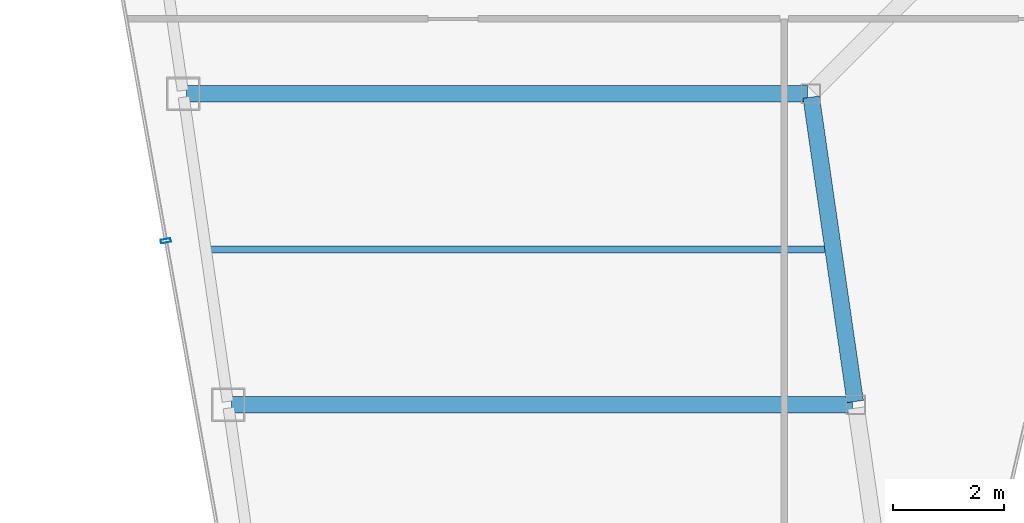
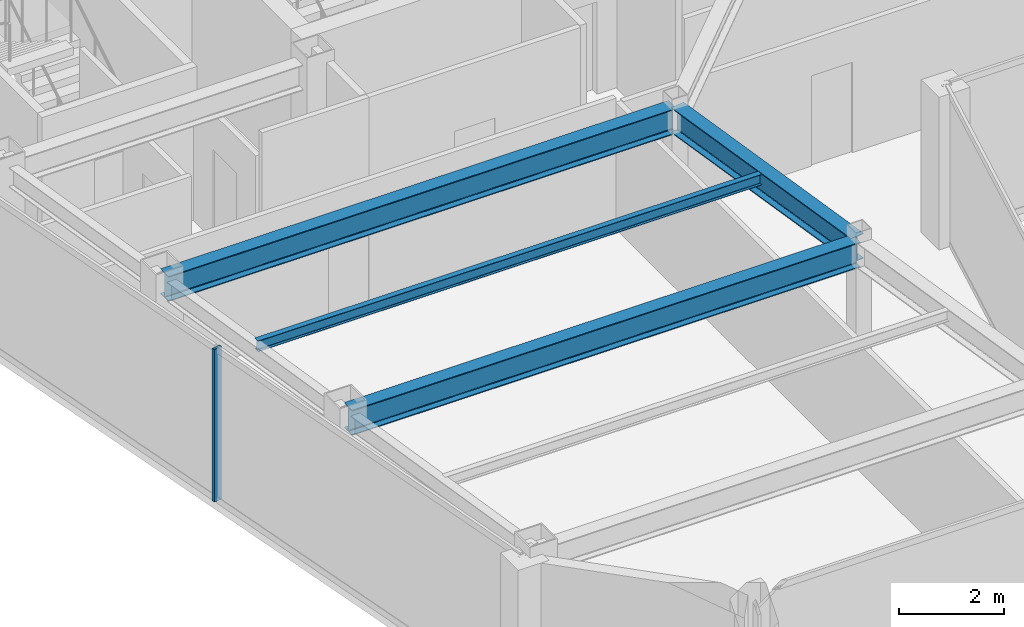
# One storey, part 5 of 32: 4 beams, 1 member, 1 element without a shape of its own.
"""IFC4 building model written with IfcOpenShell, lengths in metres."""

from ifc_helpers import new_model, si_unit, direction, frame, origin, origin_2d, place, context, subcontext, project, spatial, hollow_rectangle, i_section, extrude, material, material_profile, profile_set, type_object, element, aggregate, save


model = new_model("IFC4")

# Units and contexts
model_context = context("Model", 3, precision=1e-05, world=origin(), true_north=direction((0.0, 1.0)))
body_context = subcontext(model_context, "Body", "Model", "MODEL_VIEW")
ifc_project = project(units=[si_unit("LENGTHUNIT", "METRE"), si_unit("AREAUNIT", "SQUARE_METRE"), si_unit("VOLUMEUNIT", "CUBIC_METRE"), si_unit("PLANEANGLEUNIT", "RADIAN"), si_unit("MASSUNIT", "GRAM", prefix="KILO")], contexts=[model_context])

# Site, building, storey
site_placement = place(None, origin())
site = spatial("IfcSite", under=ifc_project, at=site_placement, CompositionType="ELEMENT")
building_placement = place(site_placement, origin())
building = spatial("IfcBuilding", under=site, at=building_placement, Name="Saevonmaru Cultural Tower", CompositionType="ELEMENT")
storey_placement = place(building_placement, frame((0.0, 0.0, 264.800048828125)))
storey = spatial("IfcBuildingStorey", under=building, at=storey_placement, Name="L62", CompositionType="ELEMENT", Elevation=264.800048828125)

# Beams
ifc_material_1 = material(Name="Steel SM355", Category="steel")
ifc_material_profile_1 = material_profile(ifc_material_1, i_section(OverallWidth=0.300048828125, OverallDepth=0.587890625, WebThickness=0.011962890625, FlangeThickness=0.02001953125, FilletRadius=0.02392578125, at=origin_2d()), Name="H-588x300x12x20")
ifc_profile_set_1 = profile_set([ifc_material_profile_1], Name="Steel SM355")
beam_type_1 = type_object("IfcBeamType", Name="BM-G-H588", PredefinedType="BEAM", material=ifc_profile_set_1)
beam_1_placement = place(storey_placement, frame((19.6083984375, 32.059326171875, 3.255859375), z_axis=(-0.142964121327, 0.989727871697, 0.0), x_axis=(-0.989727871697, -0.142964121327, 0.0)))
element("IfcBeam", 1, at=beam_1_placement, inside=storey, type_object=beam_type_1, Name="L62 West Atrium Girder 2", PredefinedType="BEAM", context=body_context, shape_type="SweptSolid", body=[
    extrude(i_section(OverallWidth=0.300048828125, OverallDepth=0.587890625, WebThickness=0.011962890625, FlangeThickness=0.02001953125, FilletRadius=0.02392578125, at=origin_2d()), origin(), (0.0, 0.0, 1.0), 5.5380859375),
])
for number, where, z_axis, x_axis, name in (
    (2, (8.376953125, 32.0, 3.255859375), (1.0, 0.0, 0.0), (0.0, 1.0, 0.0), "L62 West Wing Transverse Girder 2"),
    (3, (7.568115234375, 37.60009765625, 3.255859375), (1.0, 0.0, 0.0), (0.0, 1.0, 0.0), "L62 West Wing Transverse Girder 3"),
):
    element("IfcBeam", number, at=place(storey_placement, frame(where, z_axis=z_axis, x_axis=x_axis)), inside=storey, type_object=beam_type_1, Name=name, PredefinedType="BEAM", context=body_context, shape_type="SweptSolid", body=[
        extrude(i_section(OverallWidth=0.300048828125, OverallDepth=0.587890625, WebThickness=0.011962890625, FlangeThickness=0.02001953125, FilletRadius=0.02392578125, at=origin_2d()), origin(), (0.0, 0.0, 1.0), 11.179931640625),
    ])
ifc_material_profile_2 = material_profile(ifc_material_1, i_section(OverallWidth=0.125, OverallDepth=0.25, WebThickness=0.006103515625, FlangeThickness=0.009033203125, FilletRadius=0.008056640625, at=origin_2d()), Name="H-250x125x6x9")
ifc_profile_set_2 = profile_set([ifc_material_profile_2], Name="Steel SM355")
beam_type_2 = type_object("IfcBeamType", Name="BM-J-H250", PredefinedType="JOIST", material=ifc_profile_set_2)
beam_2_placement = place(storey_placement, frame((7.972412109375, 34.800048828125, 3.425048828125), z_axis=(1.0, 0.0, 0.0), x_axis=(0.0, 1.0, 0.0)))
element("IfcBeam", 4, at=beam_2_placement, inside=storey, type_object=beam_type_2, Name="L62 West Wing Floor Joist 2", PredefinedType="JOIST", context=body_context, shape_type="SweptSolid", body=[
    extrude(i_section(OverallWidth=0.125, OverallDepth=0.25, WebThickness=0.006103515625, FlangeThickness=0.009033203125, FilletRadius=0.008056640625, at=origin_2d()), origin(), (0.0, 0.0, 1.0), 11.08203125),
])

# Curtain wall, member
ifc_material_2 = material(Name="Satin Bronze Anodised Aluminium", Category="aluminium")
curtain_wall_type = type_object("IfcCurtainWallType", Name="CW-TYP-B", PredefinedType="NOTDEFINED", material=ifc_material_2)
curtain_wall_placement = place(storey_placement, origin())
curtain_wall = element("IfcCurtainWall", 5, at=curtain_wall_placement, inside=storey, type_object=curtain_wall_type, Name="L62 Unitised Curtain Wall E12", PredefinedType="NOTDEFINED")
ifc_material_profile_3 = material_profile(ifc_material_2, hollow_rectangle(XDim=0.06494140625, YDim=0.179931640625, WallThickness=0.00390625, at=origin_2d()), Name="ALU-MULL-180x65x4")
ifc_profile_set_3 = profile_set([ifc_material_profile_3], Name="Satin Bronze Anodised Aluminium")
member_type = type_object("IfcMemberType", Name="ML-CW-180x65", PredefinedType="MULLION", material=ifc_profile_set_3)
member_placement = place(storey_placement, frame((7.193603515625, 34.953125, 0.0), z_axis=(0.0, 0.0, 1.0), x_axis=(0.176140740755, -0.984364993001, 0.0)))
member = element("IfcMember", 6, at=member_placement, type_object=member_type, Name="CW-TW-L62-E12 mullion 3", PredefinedType="MULLION", context=body_context, shape_type="SweptSolid", body=[
    extrude(hollow_rectangle(XDim=0.06494140625, YDim=0.179931640625, WallThickness=0.00390625, at=origin_2d()), origin(), (0.0, 0.0, 1.0), 3.550048828125),
])
aggregate(curtain_wall, [member])

save(model, "model.ifc")
